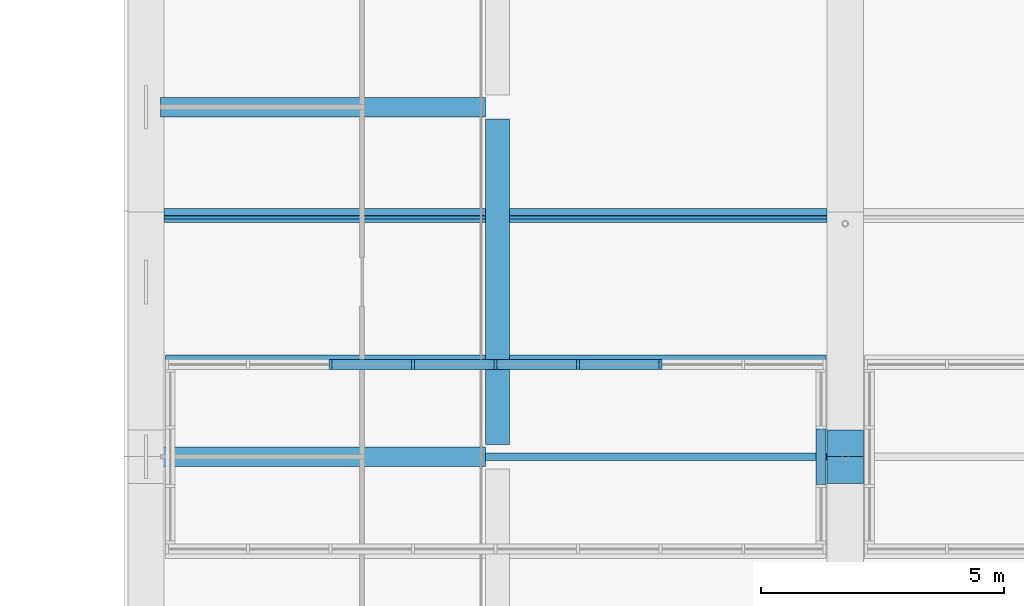
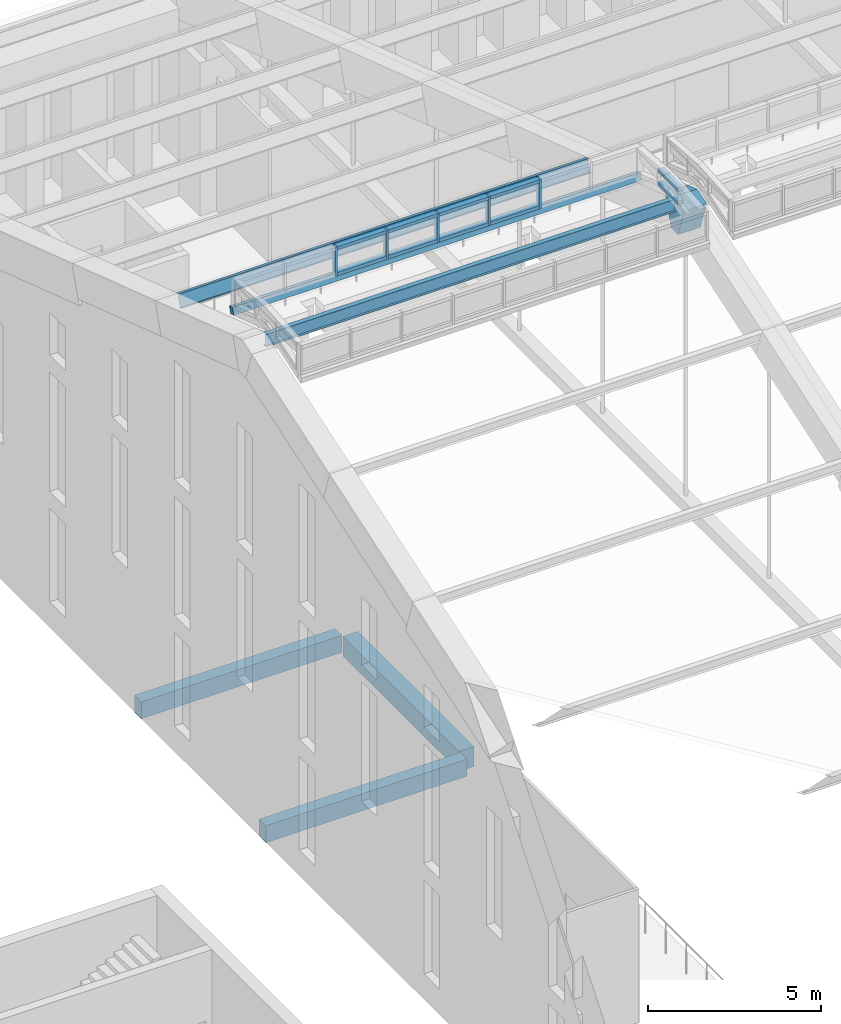
# One storey, part 32 of 149: 19 members, 3 beams, 2 elements without a shape of their own.
"""IFC4 building model written with IfcOpenShell, lengths in metres."""

import ifcopenshell
import ifcopenshell.guid

model = None  # the IFC model being written
_history = None  # IfcOwnerHistory: only IFC2X3 demands one
_inside = {}  # id of a spatial element -> (the spatial element, [elements in it])
_under = {}  # id of a project, library or spatial element -> (it, [spatial elements below it])
_declared = {}  # id of a project -> (the project, [libraries it declares])
_typed = {}  # id of a type object -> (the type object, [elements of that type])
_made_of = {}  # id of a material, layer set ... -> (it, [elements and type objects made of it])


def new_model(schema):
    """Start an empty IFC model of exactly this schema.

    Asked for "IFC4X3", IfcOpenShell would pick the latest addendum, in which some entities
    have other attributes; the version numbers below select the first issue.
    IFC2X3 requires an IfcOwnerHistory on every rooted entity: one is made here for all.
    """
    global model, _history
    if schema == "IFC4X3":
        model = ifcopenshell.file(schema_version=(4, 3, 0, 0))
    else:
        model = ifcopenshell.file(schema=schema)
    _inside.clear()
    _under.clear()
    _declared.clear()
    _typed.clear()
    _made_of.clear()
    _history = None
    if model.schema == "IFC2X3":
        org = make("IfcOrganization", Name="unknown")
        user = make(
            "IfcPersonAndOrganization",
            ThePerson=make("IfcPerson", FamilyName="unknown"),
            TheOrganization=org,
        )
        app = make(
            "IfcApplication",
            ApplicationDeveloper=org,
            Version="unknown",
            ApplicationFullName="unknown",
            ApplicationIdentifier="unknown",
        )
        _history = make(
            "IfcOwnerHistory",
            OwningUser=user,
            OwningApplication=app,
            ChangeAction="ADDED",
            CreationDate=0,
        )
    return model


def make(cls, **values):
    """One entity of the class cls with the attributes given. An attribute that is None is left unset."""
    return model.create_entity(
        cls, **{name: value for name, value in values.items() if value is not None}
    )


def rooted(cls, **values):
    """An entity with a GlobalId (a new one), such as an element, a storey or a relation."""
    return make(cls, GlobalId=ifcopenshell.guid.new(), OwnerHistory=_history, **values)


def si_unit(unit_type, name, prefix=None):
    """IfcSIUnit, for example si_unit("LENGTHUNIT", "METRE", prefix="MILLI")."""
    return make("IfcSIUnit", UnitType=unit_type, Prefix=prefix, Name=name)


def assignment(units):
    """IfcUnitAssignment: the units of a project."""
    return None if units is None else make("IfcUnitAssignment", Units=units)


def point(xyz):
    """IfcCartesianPoint."""
    return None if xyz is None else make("IfcCartesianPoint", Coordinates=xyz)


def direction(xyz):
    """IfcDirection."""
    return None if xyz is None else make("IfcDirection", DirectionRatios=xyz)


def frame(location, z_axis=None, x_axis=None):
    """IfcAxis2Placement3D, a coordinate frame: its origin and axes. An axis left out is left unset."""
    return make(
        "IfcAxis2Placement3D",
        Location=point(location),
        Axis=direction(z_axis),
        RefDirection=direction(x_axis),
    )


def frame_2d(location, x_axis=None):
    """IfcAxis2Placement2D, a coordinate frame in the plane: its origin and x axis."""
    return make(
        "IfcAxis2Placement2D", Location=point(location), RefDirection=direction(x_axis)
    )


def origin():
    """The frame at (0, 0, 0) with its axes left unset."""
    return frame((0.0, 0.0, 0.0))


def origin_2d():
    """The frame at (0, 0) in the plane with its x axis left unset."""
    return frame_2d((0.0, 0.0))


def place(relative_to, where):
    """IfcLocalPlacement: puts the frame where relative to a parent placement (None: the world)."""
    return make(
        "IfcLocalPlacement", PlacementRelTo=relative_to, RelativePlacement=where
    )


def context(
    kind, dimensions, precision=None, world=None, true_north=None, identifier=None
):
    """IfcGeometricRepresentationContext, for example the 3D "Model" context."""
    return make(
        "IfcGeometricRepresentationContext",
        ContextIdentifier=identifier,
        ContextType=kind,
        CoordinateSpaceDimension=dimensions,
        Precision=precision,
        WorldCoordinateSystem=world,
        TrueNorth=true_north,
    )


def subcontext(parent, identifier, kind, view, scale=None):
    """IfcGeometricRepresentationSubContext, for example "Body" below "Model"."""
    return make(
        "IfcGeometricRepresentationSubContext",
        ContextIdentifier=identifier,
        ContextType=kind,
        ParentContext=parent,
        TargetScale=scale,
        TargetView=view,
    )


def project(units=None, contexts=None):
    """IfcProject with its units and contexts."""
    return rooted(
        "IfcProject",
        Name="project",
        RepresentationContexts=contexts,
        UnitsInContext=assignment(units),
    )


def spatial(cls, under=None, at=None, **own):
    """A site, building, storey or space (cls), placed at a placement, below another one or the project."""
    s = rooted(cls, ObjectPlacement=at, **own)
    if under is not None:
        _under.setdefault(under.id(), (under, []))[1].append(s)
    return s


def polyline(points):
    """IfcPolyline through the points."""
    return make("IfcPolyline", Points=[point(p) for p in points])


def profile(cls, at=None, kind="AREA", **sizes):
    """A parametric profile (cls). Its sizes go by their IFC names, for example OverallWidth=200.0."""
    return make(cls, ProfileType=kind, Position=at, **sizes)


def rectangle(**sizes):
    """IfcRectangleProfileDef."""
    return profile("IfcRectangleProfileDef", **sizes)


def i_section(**sizes):
    """IfcIShapeProfileDef."""
    return profile("IfcIShapeProfileDef", **sizes)


def outline(outer, holes=None, kind="AREA"):
    """IfcArbitraryClosedProfileDef: a profile drawn as a closed curve; with holes, ...WithVoids."""
    if holes is None:
        return make("IfcArbitraryClosedProfileDef", ProfileType=kind, OuterCurve=outer)
    return make(
        "IfcArbitraryProfileDefWithVoids",
        ProfileType=kind,
        OuterCurve=outer,
        InnerCurves=holes,
    )


def extrude(swept, where, along, depth):
    """IfcExtrudedAreaSolid: the profile swept, set in the frame where, extruded along a direction by depth."""
    return make(
        "IfcExtrudedAreaSolid",
        SweptArea=swept,
        Position=where,
        ExtrudedDirection=direction(along),
        Depth=depth,
    )


def shape(context_of_items, identifier, shape_type, items):
    """IfcShapeRepresentation: the items that make up one representation, for example the "Body"."""
    return make(
        "IfcShapeRepresentation",
        ContextOfItems=context_of_items,
        RepresentationIdentifier=identifier,
        RepresentationType=shape_type,
        Items=items,
    )


def material(Name=None, Category=None):
    """IfcMaterial."""
    return make("IfcMaterial", Name=Name, Category=Category)


def material_profile(
    of_material, cross_section, Name=None, Category=None, Priority=None
):
    """IfcMaterialProfile: a cross section and its material."""
    return make(
        "IfcMaterialProfile",
        Name=Name,
        Material=of_material,
        Profile=cross_section,
        Priority=Priority,
        Category=Category,
    )


def profile_set(profiles, Name=None, composite=None):
    """IfcMaterialProfileSet."""
    return make(
        "IfcMaterialProfileSet",
        Name=Name,
        MaterialProfiles=profiles,
        CompositeProfile=composite,
    )


def made_of(thing, what):
    """Note that an element or type object is made of a material, layer set ...; save() writes the relation."""
    if what is not None:
        _made_of.setdefault(what.id(), (what, []))[1].append(thing)
    return thing


def type_object(cls, material=None, **own):
    """A type object (cls), such as IfcWallType, which elements share."""
    return made_of(rooted(cls, **own), material)


def element(
    cls,
    number,
    at=None,
    inside=None,
    cuts=None,
    type_object=None,
    material=None,
    context=None,
    identifier="Body",
    shape_type=None,
    held_by="IfcProductDefinitionShape",
    body=None,
    shapes=None,
    **own,
):
    """One element of the class cls, such as IfcWall. Its Tag is "e" and its number.

    at: its placement. inside: the storey or other place that contains it. cuts: it is an
    opening in that element (IfcRelVoidsElement). A single representation is given by context,
    identifier, shape_type and body (its items); several are given by shapes. held_by: the class
    of the entity that holds the representations. save() writes the other relations.
    """
    e = rooted(cls, Tag="e%d" % number, ObjectPlacement=at, **own)
    if body is not None:
        shapes = [shape(context, identifier, shape_type, body)]
    if shapes is not None:
        e.Representation = make(held_by, Representations=shapes)
    if inside is not None:
        _inside.setdefault(inside.id(), (inside, []))[1].append(e)
    if cuts is not None:
        rooted(
            "IfcRelVoidsElement", RelatingBuildingElement=cuts, RelatedOpeningElement=e
        )
    if type_object is not None:
        _typed.setdefault(type_object.id(), (type_object, []))[1].append(e)
    return made_of(e, material)


def aggregate(whole, parts):
    """IfcRelAggregates: a whole, such as a stair, and the parts it consists of."""
    return rooted("IfcRelAggregates", RelatingObject=whole, RelatedObjects=parts)


def save(model, path):
    """Write the relations noted so far, then the file.

    IfcRelAggregates (storeys below a building ...), IfcRelContainedInSpatialStructure (elements
    in a storey), IfcRelDefinesByType, IfcRelAssociatesMaterial and IfcRelDeclares: one each for
    every whole, place, type object, material and project.
    """
    for whole, parts in _under.values():
        aggregate(whole, parts)
    for where, things in _inside.values():
        rooted(
            "IfcRelContainedInSpatialStructure",
            RelatedElements=things,
            RelatingStructure=where,
        )
    for kind, things in _typed.values():
        rooted("IfcRelDefinesByType", RelatedObjects=things, RelatingType=kind)
    for what, things in _made_of.values():
        rooted("IfcRelAssociatesMaterial", RelatedObjects=things, RelatingMaterial=what)
    for by, libraries in _declared.values():
        rooted("IfcRelDeclares", RelatingContext=by, RelatedDefinitions=libraries)
    model.write(path)


model = new_model("IFC4")

# Units and contexts
model_context = context("Model", 3, precision=1e-05, world=origin(), true_north=direction((0.0, 1.0)))
body_context = subcontext(model_context, "Body", "Model", "MODEL_VIEW")
ifc_project = project(units=[si_unit("LENGTHUNIT", "METRE"), si_unit("AREAUNIT", "SQUARE_METRE"), si_unit("VOLUMEUNIT", "CUBIC_METRE"), si_unit("PLANEANGLEUNIT", "RADIAN"), si_unit("MASSUNIT", "GRAM", prefix="KILO")], contexts=[model_context])

# Site, building, storey
site_placement = place(None, origin())
site = spatial("IfcSite", under=ifc_project, at=site_placement, CompositionType="ELEMENT")
building_placement = place(site_placement, origin())
building = spatial("IfcBuilding", under=site, at=building_placement, Name="Alderwick Market Hall", CompositionType="ELEMENT")
storey_placement = place(building_placement, frame((0.0, 0.0, 9.60009765625)))
storey = spatial("IfcBuildingStorey", under=building, at=storey_placement, Name="L01", CompositionType="ELEMENT", Elevation=9.60009765625)

# Beams
ifc_material_1 = material(Name="Concrete 5000 psi (f'c 35 MPa)", Category="concrete")
ifc_material_profile_1 = material_profile(ifc_material_1, rectangle(XDim=0.5, YDim=0.699951171875, at=origin_2d()), Name="RC 500x700")
ifc_profile_set_1 = profile_set([ifc_material_profile_1], Name="Concrete 5000 psi (f'c 35 MPa)")
beam_type_1 = type_object("IfcBeamType", Name="H Edge beam 500x700", PredefinedType="BEAM", material=ifc_profile_set_1)
beam_placement = place(storey_placement, frame((57.639892578125, 79.449951171875, -0.60009765625), z_axis=(0.0, 1.0, 0.0), x_axis=(-1.0, 0.0, 0.0)))
element("IfcBeam", 1, at=beam_placement, inside=storey, type_object=beam_type_1, Name="Gallery edge beam W", PredefinedType="BEAM", context=body_context, shape_type="SweptSolid", body=[
    extrude(rectangle(XDim=0.5, YDim=0.699951171875, at=origin_2d()), origin(), (0.0, 0.0, 1.0), 6.699951171875),
])
ifc_material_profile_2 = material_profile(ifc_material_1, rectangle(XDim=0.39990234375, YDim=0.60009765625, at=origin_2d()), Name="RC 400x600")
ifc_profile_set_2 = profile_set([ifc_material_profile_2], Name="Concrete 5000 psi (f'c 35 MPa)")
beam_type_2 = type_object("IfcBeamType", Name="H Gallery beam 400x600", PredefinedType="BEAM", material=ifc_profile_set_2)
for number, where, z_axis, x_axis, name in (
    (2, (50.699951171875, 79.199951171875, -0.550048828125), (1.0, 0.0, 0.0), (0.0, 1.0, 0.0), "Gallery beam W"),
    (3, (50.699951171875, 86.39990234375, -0.550048828125), (1.0, 0.0, 0.0), (0.0, 1.0, 0.0), "Gallery beam W"),
):
    element("IfcBeam", number, at=place(storey_placement, frame(where, z_axis=z_axis, x_axis=x_axis)), inside=storey, type_object=beam_type_2, Name=name, PredefinedType="BEAM", context=body_context, shape_type="SweptSolid", body=[
        extrude(rectangle(XDim=0.39990234375, YDim=0.60009765625, at=origin_2d()), origin(), (0.0, 0.0, 1.0), 6.68994140625),
    ])

# Curtain wall, members
ifc_material_2 = material(Name="Aluminium", Category="aluminium")
curtain_wall_type = type_object("IfcCurtainWallType", Name="R Curtain Wall Frame", PredefinedType="NOTDEFINED", material=ifc_material_2)
curtain_wall_1_placement = place(storey_placement, origin())
curtain_wall_1 = element("IfcCurtainWall", 4, at=curtain_wall_1_placement, inside=storey, type_object=curtain_wall_type, Name="Curtain wall LCW N1", PredefinedType="NOTDEFINED")
ifc_material_profile_3 = material_profile(ifc_material_2, rectangle(XDim=0.199951171875, YDim=0.06005859375, at=origin_2d()), Name="AL 60x200")
ifc_profile_set_3 = profile_set([ifc_material_profile_3], Name="Aluminium")
member_type_1 = type_object("IfcMemberType", Name="R CW Mullion 60x200", PredefinedType="MULLION", material=ifc_profile_set_3)
member_1_placement = place(storey_placement, frame((54.199951171875, 81.10009765625, 16.670166015625), z_axis=(0.0, 0.0, 1.0), x_axis=(0.0, 1.0, 0.0)))
member_1 = element("IfcMember", 5, at=member_1_placement, type_object=member_type_1, Name="LCW N1 mullion 3", PredefinedType="MULLION", context=body_context, shape_type="SweptSolid", body=[
    extrude(rectangle(XDim=0.199951171875, YDim=0.06005859375, at=origin_2d()), origin(), (0.0, 0.0, 1.0), 1.02978515625),
])
member_2_placement = place(storey_placement, frame((55.89990234375, 81.10009765625, 16.670166015625), z_axis=(0.0, 0.0, 1.0), x_axis=(0.0, 1.0, 0.0)))
member_2 = element("IfcMember", 6, at=member_2_placement, type_object=member_type_1, Name="LCW N1 mullion 4", PredefinedType="MULLION", context=body_context, shape_type="SweptSolid", body=[
    extrude(rectangle(XDim=0.199951171875, YDim=0.06005859375, at=origin_2d()), origin(), (0.0, 0.0, 1.0), 1.02978515625),
])
member_3_placement = place(storey_placement, frame((57.60009765625, 81.10009765625, 16.670166015625), z_axis=(0.0, 0.0, 1.0), x_axis=(0.0, 1.0, 0.0)))
member_3 = element("IfcMember", 7, at=member_3_placement, type_object=member_type_1, Name="LCW N1 mullion 5", PredefinedType="MULLION", context=body_context, shape_type="SweptSolid", body=[
    extrude(rectangle(XDim=0.199951171875, YDim=0.06005859375, at=origin_2d()), origin(), (0.0, 0.0, 1.0), 1.02978515625),
])
member_4_placement = place(storey_placement, frame((59.300048828125, 81.10009765625, 16.670166015625), z_axis=(0.0, 0.0, 1.0), x_axis=(0.0, 1.0, 0.0)))
member_4 = element("IfcMember", 8, at=member_4_placement, type_object=member_type_1, Name="LCW N1 mullion 6", PredefinedType="MULLION", context=body_context, shape_type="SweptSolid", body=[
    extrude(rectangle(XDim=0.199951171875, YDim=0.06005859375, at=origin_2d()), origin(), (0.0, 0.0, 1.0), 1.02978515625),
])
member_5_placement = place(storey_placement, frame((61.0, 81.10009765625, 16.670166015625), z_axis=(0.0, 0.0, 1.0), x_axis=(0.0, 1.0, 0.0)))
member_5 = element("IfcMember", 9, at=member_5_placement, type_object=member_type_1, Name="LCW N1 mullion 7", PredefinedType="MULLION", context=body_context, shape_type="SweptSolid", body=[
    extrude(rectangle(XDim=0.199951171875, YDim=0.06005859375, at=origin_2d()), origin(), (0.0, 0.0, 1.0), 1.02978515625),
])
ifc_material_profile_4 = material_profile(ifc_material_2, rectangle(XDim=0.199951171875, YDim=0.1201171875, at=origin_2d()), Name="AL 120x200")
ifc_profile_set_4 = profile_set([ifc_material_profile_4], Name="Aluminium")
member_type_2 = type_object("IfcMemberType", Name="R CW Transom 120x200", PredefinedType="USERDEFINED", material=ifc_profile_set_4)
member_6_placement = place(storey_placement, frame((54.22998046875, 81.10009765625, 16.730224609375), z_axis=(1.0, 0.0, 0.0), x_axis=(0.0, 1.0, 0.0)))
member_6 = element("IfcMember", 10, at=member_6_placement, type_object=member_type_2, Name="LCW N1 sill transom 3", ObjectType="TRANSOM", PredefinedType="USERDEFINED", context=body_context, shape_type="SweptSolid", body=[
    extrude(rectangle(XDim=0.199951171875, YDim=0.1201171875, at=origin_2d()), origin(), (0.0, 0.0, 1.0), 1.64013671875),
])
member_7_placement = place(storey_placement, frame((54.22998046875, 81.10009765625, 17.639892578125), z_axis=(1.0, 0.0, 0.0), x_axis=(0.0, 1.0, 0.0)))
member_7 = element("IfcMember", 11, at=member_7_placement, type_object=member_type_2, Name="LCW N1 head transom 3", ObjectType="TRANSOM", PredefinedType="USERDEFINED", context=body_context, shape_type="SweptSolid", body=[
    extrude(rectangle(XDim=0.199951171875, YDim=0.1201171875, at=origin_2d()), origin(), (0.0, 0.0, 1.0), 1.64013671875),
])
member_8_placement = place(storey_placement, frame((55.929931640625, 81.10009765625, 16.730224609375), z_axis=(1.0, 0.0, 0.0), x_axis=(0.0, 1.0, 0.0)))
member_8 = element("IfcMember", 12, at=member_8_placement, type_object=member_type_2, Name="LCW N1 sill transom 4", ObjectType="TRANSOM", PredefinedType="USERDEFINED", context=body_context, shape_type="SweptSolid", body=[
    extrude(rectangle(XDim=0.199951171875, YDim=0.1201171875, at=origin_2d()), origin(), (0.0, 0.0, 1.0), 1.64013671875),
])
member_9_placement = place(storey_placement, frame((55.929931640625, 81.10009765625, 17.639892578125), z_axis=(1.0, 0.0, 0.0), x_axis=(0.0, 1.0, 0.0)))
member_9 = element("IfcMember", 13, at=member_9_placement, type_object=member_type_2, Name="LCW N1 head transom 4", ObjectType="TRANSOM", PredefinedType="USERDEFINED", context=body_context, shape_type="SweptSolid", body=[
    extrude(rectangle(XDim=0.199951171875, YDim=0.1201171875, at=origin_2d()), origin(), (0.0, 0.0, 1.0), 1.64013671875),
])
member_10_placement = place(storey_placement, frame((57.6298828125, 81.10009765625, 16.730224609375), z_axis=(1.0, 0.0, 0.0), x_axis=(0.0, 1.0, 0.0)))
member_10 = element("IfcMember", 14, at=member_10_placement, type_object=member_type_2, Name="LCW N1 sill transom 5", ObjectType="TRANSOM", PredefinedType="USERDEFINED", context=body_context, shape_type="SweptSolid", body=[
    extrude(rectangle(XDim=0.199951171875, YDim=0.1201171875, at=origin_2d()), origin(), (0.0, 0.0, 1.0), 1.64013671875),
])
member_11_placement = place(storey_placement, frame((57.6298828125, 81.10009765625, 17.639892578125), z_axis=(1.0, 0.0, 0.0), x_axis=(0.0, 1.0, 0.0)))
member_11 = element("IfcMember", 15, at=member_11_placement, type_object=member_type_2, Name="LCW N1 head transom 5", ObjectType="TRANSOM", PredefinedType="USERDEFINED", context=body_context, shape_type="SweptSolid", body=[
    extrude(rectangle(XDim=0.199951171875, YDim=0.1201171875, at=origin_2d()), origin(), (0.0, 0.0, 1.0), 1.64013671875),
])
member_12_placement = place(storey_placement, frame((59.330078125, 81.10009765625, 16.730224609375), z_axis=(1.0, 0.0, 0.0), x_axis=(0.0, 1.0, 0.0)))
member_12 = element("IfcMember", 16, at=member_12_placement, type_object=member_type_2, Name="LCW N1 sill transom 6", ObjectType="TRANSOM", PredefinedType="USERDEFINED", context=body_context, shape_type="SweptSolid", body=[
    extrude(rectangle(XDim=0.199951171875, YDim=0.1201171875, at=origin_2d()), origin(), (0.0, 0.0, 1.0), 1.639892578125),
])
member_13_placement = place(storey_placement, frame((59.330078125, 81.10009765625, 17.639892578125), z_axis=(1.0, 0.0, 0.0), x_axis=(0.0, 1.0, 0.0)))
member_13 = element("IfcMember", 17, at=member_13_placement, type_object=member_type_2, Name="LCW N1 head transom 6", ObjectType="TRANSOM", PredefinedType="USERDEFINED", context=body_context, shape_type="SweptSolid", body=[
    extrude(rectangle(XDim=0.199951171875, YDim=0.1201171875, at=origin_2d()), origin(), (0.0, 0.0, 1.0), 1.639892578125),
])

curtain_wall_2_placement = place(storey_placement, origin())
curtain_wall_2 = element("IfcCurtainWall", 18, at=curtain_wall_2_placement, inside=storey, type_object=curtain_wall_type, Name="Curtain wall LCW E1", PredefinedType="NOTDEFINED")
member_14_placement = place(storey_placement, frame((64.300048828125, 78.6298828125, 17.173583984375), z_axis=(0.0, 1.0, 0.0), x_axis=(-1.0, 0.0, 0.0)))
member_14 = element("IfcMember", 19, at=member_14_placement, type_object=member_type_2, Name="LCW E1 sill transom 2", ObjectType="TRANSOM", PredefinedType="USERDEFINED", context=body_context, shape_type="SweptSolid", body=[
    extrude(rectangle(XDim=0.199951171875, YDim=0.1201171875, at=origin_2d()), origin(), (0.0, 0.0, 1.0), 1.14013671875),
])
member_15_placement = place(storey_placement, frame((64.300048828125, 78.6298828125, 17.639892578125), z_axis=(0.0, 1.0, 0.0), x_axis=(-1.0, 0.0, 0.0)))
member_15 = element("IfcMember", 20, at=member_15_placement, type_object=member_type_2, Name="LCW E1 head transom 2", ObjectType="TRANSOM", PredefinedType="USERDEFINED", context=body_context, shape_type="SweptSolid", body=[
    extrude(rectangle(XDim=0.199951171875, YDim=0.1201171875, at=origin_2d()), origin(), (0.0, 0.0, 1.0), 1.14013671875),
])
aggregate(curtain_wall_2, [member_14, member_15])

# Member
ifc_material_profile_5 = material_profile(ifc_material_1, outline(polyline([(-0.199951171875, 0.0), (-0.5478515625, 1.04345703125), (0.0, 1.22607421875), (0.5478515625, 1.04345703125), (0.199951171875, 0.0), (-0.199951171875, 0.0)])), Name="RC crown knuckle")
ifc_profile_set_5 = profile_set([ifc_material_profile_5], Name="Concrete 5000 psi (f'c 35 MPa)")
member_type_3 = type_object("IfcMemberType", Name="R Crown Knuckle 750", PredefinedType="MEMBER", material=ifc_profile_set_5)
member_16_placement = place(storey_placement, frame((64.425048828125, 79.199951171875, 15.764404296875), z_axis=(1.0, 0.0, 0.0), x_axis=(0.0, 1.0, 0.0)))
element("IfcMember", 21, at=member_16_placement, inside=storey, type_object=member_type_3, Name="Crown knuckle 2", PredefinedType="MEMBER", context=body_context, shape_type="SweptSolid", body=[
    extrude(outline(polyline([(-0.199951171875, 0.0), (-0.5478515625, 1.04345703125), (0.0, 1.22607421875), (0.5478515625, 1.04345703125), (0.199951171875, 0.0), (-0.199951171875, 0.0)])), origin(), (0.0, 0.0, 1.0), 0.75),
])

ifc_material_3 = material(Name="Steel ASTM A572 Grade 50", Category="steel")
ifc_material_profile_6 = material_profile(ifc_material_3, rectangle(XDim=0.199951171875, YDim=0.25, at=origin_2d()), Name="Steel plate curb 200x250")
ifc_profile_set_6 = profile_set([ifc_material_profile_6], Name="Steel ASTM A572 Grade 50")
member_type_4 = type_object("IfcMemberType", Name="R Lantern Curb 200x250", PredefinedType="MEMBER", material=ifc_profile_set_6)
member_17_placement = place(storey_placement, frame((50.800048828125, 81.164794921875, 16.551513671875), z_axis=(1.0, 0.0, 0.0), x_axis=(0.0, 0.948683297073, -0.316227768949)))
member_17 = element("IfcMember", 22, at=member_17_placement, type_object=member_type_4, Name="Lantern curb N1", PredefinedType="MEMBER", context=body_context, shape_type="SweptSolid", body=[
    extrude(rectangle(XDim=0.199951171875, YDim=0.25, at=origin_2d()), origin(), (0.0, 0.0, 1.0), 13.599853515625),
])

aggregate(curtain_wall_1, [member_1, member_2, member_3, member_4, member_5, member_6, member_7, member_8, member_9, member_10, member_11, member_12, member_13, member_17])

# Members
ifc_material_4 = material(Name="Steel ASTM A992 Grade 50", Category="steel")
ifc_material_profile_7 = material_profile(ifc_material_4, i_section(OverallWidth=0.153076171875, OverallDepth=0.455078125, WebThickness=0.008056640625, FlangeThickness=0.01318359375, at=origin_2d()), Name="W18x40")
ifc_profile_set_7 = profile_set([ifc_material_profile_7], Name="Steel ASTM A992 Grade 50")
member_type_5 = type_object("IfcMemberType", Name="R Purlin W18x40", PredefinedType="PURLIN", material=ifc_profile_set_7)
for number, where, z_axis, x_axis, name in (
    (23, (50.77490234375, 79.199951171875, 16.7314453125), (1.0, 0.0, 0.0), (0.0, 1.0, 0.0), "Roof purlin 7.1"),
    (24, (50.77490234375, 84.163330078125, 15.08984375), (1.0, 0.0, 0.0), (0.0, 0.948683297073, -0.316227768949), "Roof purlin 8.1"),
):
    element("IfcMember", number, at=place(storey_placement, frame(where, z_axis=z_axis, x_axis=x_axis)), inside=storey, type_object=member_type_5, Name=name, PredefinedType="PURLIN", context=body_context, shape_type="SweptSolid", body=[
        extrude(i_section(OverallWidth=0.153076171875, OverallDepth=0.455078125, WebThickness=0.008056640625, FlangeThickness=0.01318359375, at=origin_2d()), origin(), (0.0, 0.0, 1.0), 13.650146484375),
    ])

save(model, "model.ifc")
